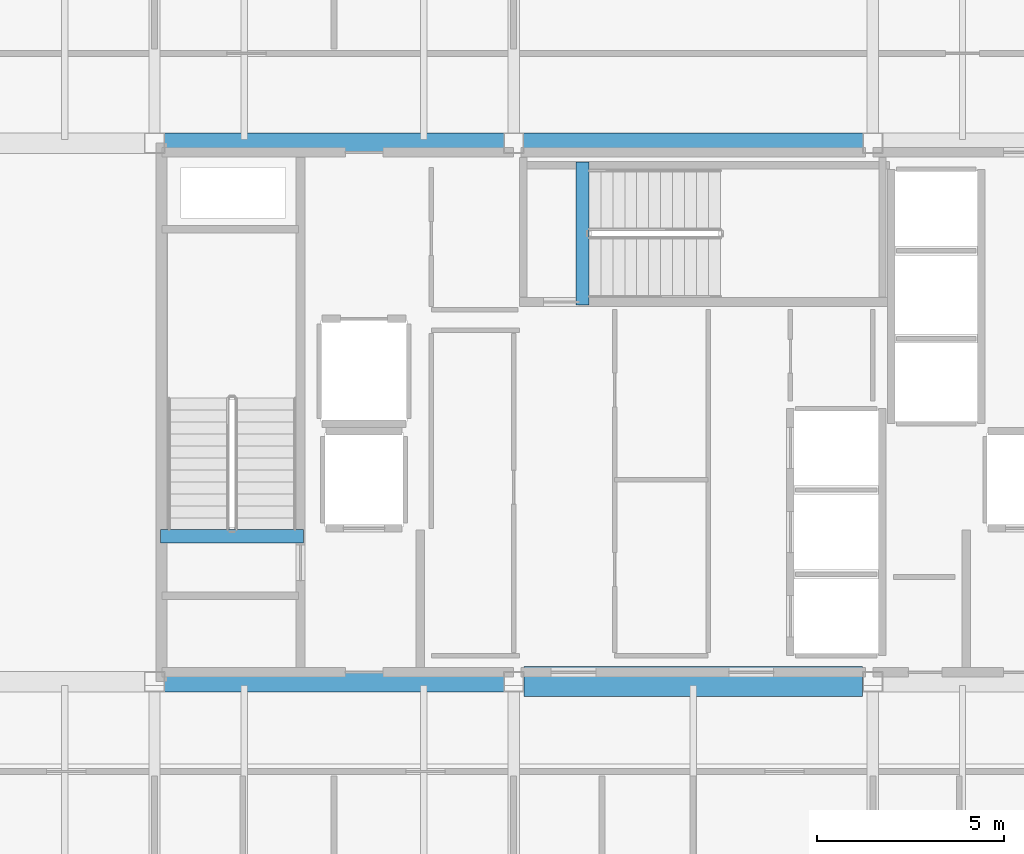
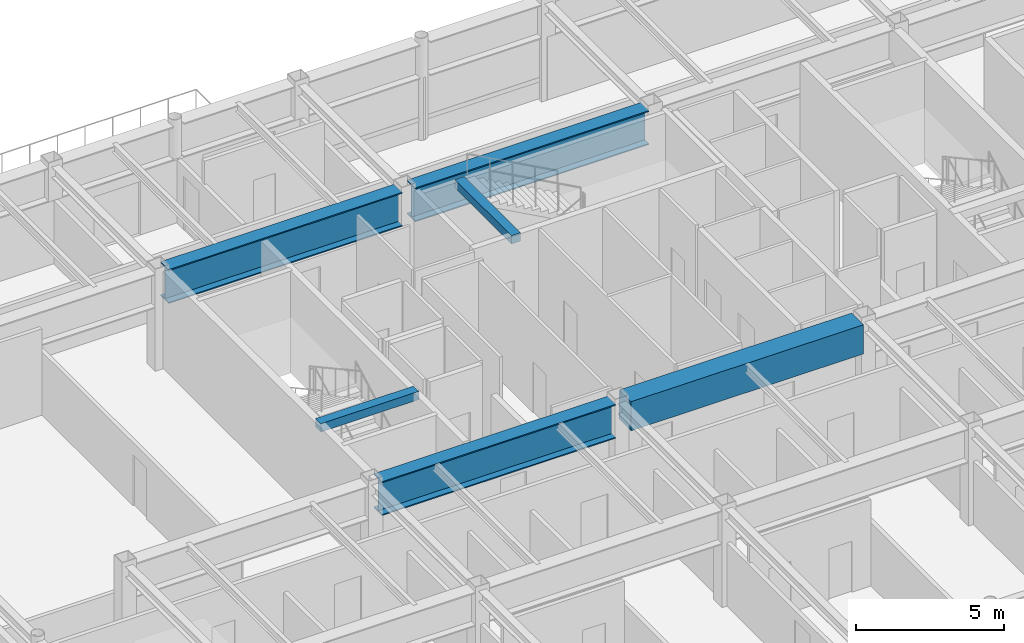
# One storey, part 8 of 23: 6 beams.
"""IFC4 building model written with IfcOpenShell, lengths in metres."""

import ifcopenshell
import ifcopenshell.guid

model = None  # the IFC model being written
_history = None  # IfcOwnerHistory: only IFC2X3 demands one
_inside = {}  # id of a spatial element -> (the spatial element, [elements in it])
_under = {}  # id of a project, library or spatial element -> (it, [spatial elements below it])
_declared = {}  # id of a project -> (the project, [libraries it declares])
_typed = {}  # id of a type object -> (the type object, [elements of that type])
_made_of = {}  # id of a material, layer set ... -> (it, [elements and type objects made of it])


def new_model(schema):
    """Start an empty IFC model of exactly this schema.

    Asked for "IFC4X3", IfcOpenShell would pick the latest addendum, in which some entities
    have other attributes; the version numbers below select the first issue.
    IFC2X3 requires an IfcOwnerHistory on every rooted entity: one is made here for all.
    """
    global model, _history
    if schema == "IFC4X3":
        model = ifcopenshell.file(schema_version=(4, 3, 0, 0))
    else:
        model = ifcopenshell.file(schema=schema)
    _inside.clear()
    _under.clear()
    _declared.clear()
    _typed.clear()
    _made_of.clear()
    _history = None
    if model.schema == "IFC2X3":
        org = make("IfcOrganization", Name="unknown")
        user = make(
            "IfcPersonAndOrganization",
            ThePerson=make("IfcPerson", FamilyName="unknown"),
            TheOrganization=org,
        )
        app = make(
            "IfcApplication",
            ApplicationDeveloper=org,
            Version="unknown",
            ApplicationFullName="unknown",
            ApplicationIdentifier="unknown",
        )
        _history = make(
            "IfcOwnerHistory",
            OwningUser=user,
            OwningApplication=app,
            ChangeAction="ADDED",
            CreationDate=0,
        )
    return model


def make(cls, **values):
    """One entity of the class cls with the attributes given. An attribute that is None is left unset."""
    return model.create_entity(
        cls, **{name: value for name, value in values.items() if value is not None}
    )


def rooted(cls, **values):
    """An entity with a GlobalId (a new one), such as an element, a storey or a relation."""
    return make(cls, GlobalId=ifcopenshell.guid.new(), OwnerHistory=_history, **values)


def si_unit(unit_type, name, prefix=None):
    """IfcSIUnit, for example si_unit("LENGTHUNIT", "METRE", prefix="MILLI")."""
    return make("IfcSIUnit", UnitType=unit_type, Prefix=prefix, Name=name)


def assignment(units):
    """IfcUnitAssignment: the units of a project."""
    return None if units is None else make("IfcUnitAssignment", Units=units)


def point(xyz):
    """IfcCartesianPoint."""
    return None if xyz is None else make("IfcCartesianPoint", Coordinates=xyz)


def direction(xyz):
    """IfcDirection."""
    return None if xyz is None else make("IfcDirection", DirectionRatios=xyz)


def frame(location, z_axis=None, x_axis=None):
    """IfcAxis2Placement3D, a coordinate frame: its origin and axes. An axis left out is left unset."""
    return make(
        "IfcAxis2Placement3D",
        Location=point(location),
        Axis=direction(z_axis),
        RefDirection=direction(x_axis),
    )


def frame_2d(location, x_axis=None):
    """IfcAxis2Placement2D, a coordinate frame in the plane: its origin and x axis."""
    return make(
        "IfcAxis2Placement2D", Location=point(location), RefDirection=direction(x_axis)
    )


def origin():
    """The frame at (0, 0, 0) with its axes left unset."""
    return frame((0.0, 0.0, 0.0))


def origin_2d():
    """The frame at (0, 0) in the plane with its x axis left unset."""
    return frame_2d((0.0, 0.0))


def place(relative_to, where):
    """IfcLocalPlacement: puts the frame where relative to a parent placement (None: the world)."""
    return make(
        "IfcLocalPlacement", PlacementRelTo=relative_to, RelativePlacement=where
    )


def context(
    kind, dimensions, precision=None, world=None, true_north=None, identifier=None
):
    """IfcGeometricRepresentationContext, for example the 3D "Model" context."""
    return make(
        "IfcGeometricRepresentationContext",
        ContextIdentifier=identifier,
        ContextType=kind,
        CoordinateSpaceDimension=dimensions,
        Precision=precision,
        WorldCoordinateSystem=world,
        TrueNorth=true_north,
    )


def subcontext(parent, identifier, kind, view, scale=None):
    """IfcGeometricRepresentationSubContext, for example "Body" below "Model"."""
    return make(
        "IfcGeometricRepresentationSubContext",
        ContextIdentifier=identifier,
        ContextType=kind,
        ParentContext=parent,
        TargetScale=scale,
        TargetView=view,
    )


def project(units=None, contexts=None):
    """IfcProject with its units and contexts."""
    return rooted(
        "IfcProject",
        Name="project",
        RepresentationContexts=contexts,
        UnitsInContext=assignment(units),
    )


def spatial(cls, under=None, at=None, **own):
    """A site, building, storey or space (cls), placed at a placement, below another one or the project."""
    s = rooted(cls, ObjectPlacement=at, **own)
    if under is not None:
        _under.setdefault(under.id(), (under, []))[1].append(s)
    return s


def profile(cls, at=None, kind="AREA", **sizes):
    """A parametric profile (cls). Its sizes go by their IFC names, for example OverallWidth=200.0."""
    return make(cls, ProfileType=kind, Position=at, **sizes)


def rectangle(**sizes):
    """IfcRectangleProfileDef."""
    return profile("IfcRectangleProfileDef", **sizes)


def i_section(**sizes):
    """IfcIShapeProfileDef."""
    return profile("IfcIShapeProfileDef", **sizes)


def extrude(swept, where, along, depth):
    """IfcExtrudedAreaSolid: the profile swept, set in the frame where, extruded along a direction by depth."""
    return make(
        "IfcExtrudedAreaSolid",
        SweptArea=swept,
        Position=where,
        ExtrudedDirection=direction(along),
        Depth=depth,
    )


def shape(context_of_items, identifier, shape_type, items):
    """IfcShapeRepresentation: the items that make up one representation, for example the "Body"."""
    return make(
        "IfcShapeRepresentation",
        ContextOfItems=context_of_items,
        RepresentationIdentifier=identifier,
        RepresentationType=shape_type,
        Items=items,
    )


def material(Name=None, Category=None):
    """IfcMaterial."""
    return make("IfcMaterial", Name=Name, Category=Category)


def material_profile(
    of_material, cross_section, Name=None, Category=None, Priority=None
):
    """IfcMaterialProfile: a cross section and its material."""
    return make(
        "IfcMaterialProfile",
        Name=Name,
        Material=of_material,
        Profile=cross_section,
        Priority=Priority,
        Category=Category,
    )


def profile_set(profiles, Name=None, composite=None):
    """IfcMaterialProfileSet."""
    return make(
        "IfcMaterialProfileSet",
        Name=Name,
        MaterialProfiles=profiles,
        CompositeProfile=composite,
    )


def made_of(thing, what):
    """Note that an element or type object is made of a material, layer set ...; save() writes the relation."""
    if what is not None:
        _made_of.setdefault(what.id(), (what, []))[1].append(thing)
    return thing


def type_object(cls, material=None, **own):
    """A type object (cls), such as IfcWallType, which elements share."""
    return made_of(rooted(cls, **own), material)


def element(
    cls,
    number,
    at=None,
    inside=None,
    cuts=None,
    type_object=None,
    material=None,
    context=None,
    identifier="Body",
    shape_type=None,
    held_by="IfcProductDefinitionShape",
    body=None,
    shapes=None,
    **own,
):
    """One element of the class cls, such as IfcWall. Its Tag is "e" and its number.

    at: its placement. inside: the storey or other place that contains it. cuts: it is an
    opening in that element (IfcRelVoidsElement). A single representation is given by context,
    identifier, shape_type and body (its items); several are given by shapes. held_by: the class
    of the entity that holds the representations. save() writes the other relations.
    """
    e = rooted(cls, Tag="e%d" % number, ObjectPlacement=at, **own)
    if body is not None:
        shapes = [shape(context, identifier, shape_type, body)]
    if shapes is not None:
        e.Representation = make(held_by, Representations=shapes)
    if inside is not None:
        _inside.setdefault(inside.id(), (inside, []))[1].append(e)
    if cuts is not None:
        rooted(
            "IfcRelVoidsElement", RelatingBuildingElement=cuts, RelatedOpeningElement=e
        )
    if type_object is not None:
        _typed.setdefault(type_object.id(), (type_object, []))[1].append(e)
    return made_of(e, material)


def aggregate(whole, parts):
    """IfcRelAggregates: a whole, such as a stair, and the parts it consists of."""
    return rooted("IfcRelAggregates", RelatingObject=whole, RelatedObjects=parts)


def save(model, path):
    """Write the relations noted so far, then the file.

    IfcRelAggregates (storeys below a building ...), IfcRelContainedInSpatialStructure (elements
    in a storey), IfcRelDefinesByType, IfcRelAssociatesMaterial and IfcRelDeclares: one each for
    every whole, place, type object, material and project.
    """
    for whole, parts in _under.values():
        aggregate(whole, parts)
    for where, things in _inside.values():
        rooted(
            "IfcRelContainedInSpatialStructure",
            RelatedElements=things,
            RelatingStructure=where,
        )
    for kind, things in _typed.values():
        rooted("IfcRelDefinesByType", RelatedObjects=things, RelatingType=kind)
    for what, things in _made_of.values():
        rooted("IfcRelAssociatesMaterial", RelatedObjects=things, RelatingMaterial=what)
    for by, libraries in _declared.values():
        rooted("IfcRelDeclares", RelatingContext=by, RelatedDefinitions=libraries)
    model.write(path)


model = new_model("IFC4")

# Units and contexts
model_context = context("Model", 3, precision=1e-05, world=origin(), true_north=direction((0.0, 1.0)))
body_context = subcontext(model_context, "Body", "Model", "MODEL_VIEW")
ifc_project = project(units=[si_unit("LENGTHUNIT", "METRE"), si_unit("AREAUNIT", "SQUARE_METRE"), si_unit("VOLUMEUNIT", "CUBIC_METRE"), si_unit("PLANEANGLEUNIT", "RADIAN"), si_unit("MASSUNIT", "GRAM", prefix="KILO")], contexts=[model_context])

# Site, building, storey
site_placement = place(None, origin())
site = spatial("IfcSite", under=ifc_project, at=site_placement, CompositionType="ELEMENT")
building_placement = place(site_placement, origin())
building = spatial("IfcBuilding", under=site, at=building_placement, Name="Kallvorn Hotel Tower", CompositionType="ELEMENT")
storey_placement = place(building_placement, frame((0.0, 0.0, 282.199951171875)))
storey = spatial("IfcBuildingStorey", under=building, at=storey_placement, Name="L70", CompositionType="ELEMENT", Elevation=282.199951171875)

# Beams
ifc_material_1 = material(Name="Structural steel S355JR", Category="steel")
ifc_material_profile_1 = material_profile(ifc_material_1, i_section(OverallWidth=0.550048828125, OverallDepth=1.39990234375, WebThickness=0.02490234375, FlangeThickness=0.044921875, at=origin_2d()), Name="PG 1400x550x25x45")
ifc_profile_set_1 = profile_set([ifc_material_profile_1], Name="Structural steel S355JR")
beam_type_1 = type_object("IfcBeamType", Name="BM_PG_1400", PredefinedType="BEAM", material=ifc_profile_set_1)
for number, where, z_axis, x_axis, name in (
    (1, (-14.14990234375, -7.199951171875, 3.300048828125), (1.0, 0.0, 0.0), (0.0, 1.0, 0.0), "L71 Primary X-Girder 08"),
    (2, (-14.14990234375, 7.199951171875, 3.300048828125), (1.0, 0.0, 0.0), (0.0, 1.0, 0.0), "L71 Primary X-Girder 12"),
):
    element("IfcBeam", number, at=place(storey_placement, frame(where, z_axis=z_axis, x_axis=x_axis)), inside=storey, type_object=beam_type_1, Name=name, PredefinedType="BEAM", context=body_context, shape_type="SweptSolid", body=[
        extrude(i_section(OverallWidth=0.550048828125, OverallDepth=1.39990234375, WebThickness=0.02490234375, FlangeThickness=0.044921875, at=origin_2d()), origin(), (0.0, 0.0, 1.0), 9.099853515625),
    ])
beam_1_placement = place(storey_placement, frame((-4.550048828125, 7.199951171875, 3.300048828125), z_axis=(1.0, 0.0, 0.0), x_axis=(0.0, 1.0, 0.0)))
element("IfcBeam", 3, at=beam_1_placement, inside=storey, type_object=beam_type_1, Name="L71 Primary X-Girder 13", PredefinedType="BEAM", context=body_context, shape_type="SweptSolid", body=[
    extrude(i_section(OverallWidth=0.550048828125, OverallDepth=1.39990234375, WebThickness=0.02490234375, FlangeThickness=0.044921875, at=origin_2d()), origin(), (0.0, 0.0, 1.0), 9.10009765625),
])
ifc_material_2 = material(Name="Concrete C50/60", Category="concrete")
ifc_material_profile_2 = material_profile(ifc_material_2, rectangle(XDim=0.360107421875, YDim=0.340087890625, at=origin_2d()), Name="RC 360x340")
ifc_profile_set_2 = profile_set([ifc_material_profile_2], Name="Concrete C50/60")
beam_type_2 = type_object("IfcBeamType", Name="BM_RC_400x360", PredefinedType="BEAM", material=ifc_profile_set_2)
beam_2_placement = place(storey_placement, frame((-10.419921875, -3.31005859375, 3.830078125), z_axis=(-1.0, 0.0, 0.0), x_axis=(0.0, -1.0, 0.0)))
element("IfcBeam", 4, at=beam_2_placement, inside=storey, type_object=beam_type_2, Name="L71 Stair ST1 Arrival Trimmer Beam", PredefinedType="BEAM", context=body_context, shape_type="SweptSolid", body=[
    extrude(rectangle(XDim=0.360107421875, YDim=0.340087890625, at=origin_2d()), origin(), (0.0, 0.0, 1.0), 3.820068359375),
])
beam_3_placement = place(storey_placement, frame((-2.9599609375, 2.8701171875, 3.830078125), z_axis=(0.0, 1.0, 0.0), x_axis=(-1.0, 0.0, 0.0)))
element("IfcBeam", 5, at=beam_3_placement, inside=storey, type_object=beam_type_2, Name="L71 Stair ST3 Arrival Trimmer Beam", PredefinedType="BEAM", context=body_context, shape_type="SweptSolid", body=[
    extrude(rectangle(XDim=0.360107421875, YDim=0.340087890625, at=origin_2d()), origin(), (0.0, 0.0, 1.0), 3.81982421875),
])
ifc_material_3 = material(Name="Concrete C50/60", Category="concrete")
ifc_material_profile_3 = material_profile(ifc_material_3, rectangle(XDim=0.800048828125, YDim=1.199951171875, at=origin_2d()), Name="RC 800x1200")
ifc_profile_set_3 = profile_set([ifc_material_profile_3], Name="Concrete C50/60")
beam_type_3 = type_object("IfcBeamType", Name="BM_RC_800x1200", PredefinedType="T_BEAM", material=ifc_profile_set_3)
beam_4_placement = place(storey_placement, frame((-4.52490234375, -7.199951171875, 3.400146484375), z_axis=(1.0, 0.0, 0.0), x_axis=(0.0, 1.0, 0.0)))
element("IfcBeam", 6, at=beam_4_placement, inside=storey, type_object=beam_type_3, Name="L70 Core Coupling Beam South", PredefinedType="T_BEAM", context=body_context, shape_type="SweptSolid", body=[
    extrude(rectangle(XDim=0.800048828125, YDim=1.199951171875, at=origin_2d()), origin(), (0.0, 0.0, 1.0), 9.0498046875),
])

save(model, "model.ifc")
